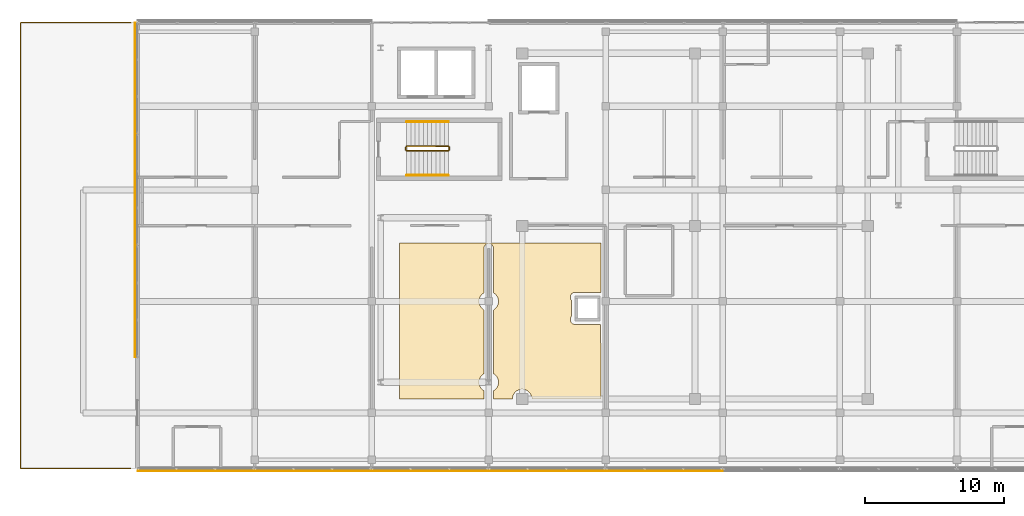
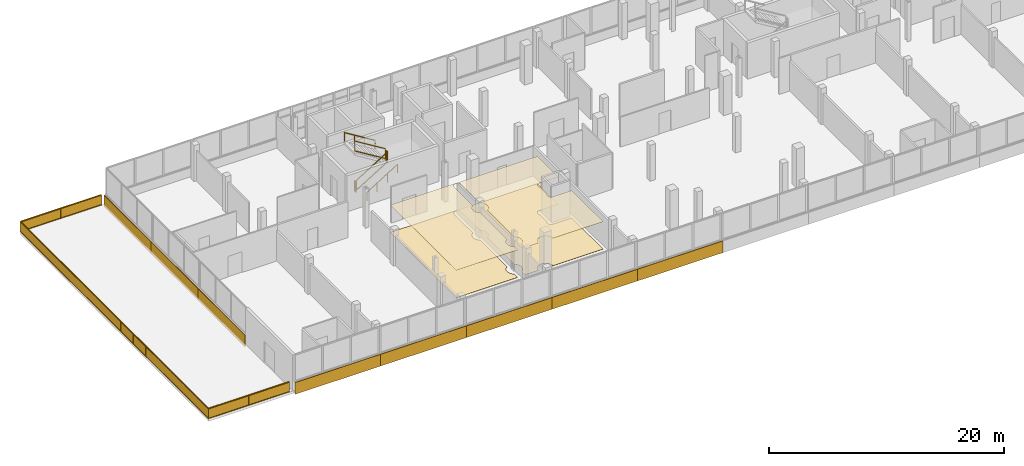
# One storey, part 61 of 67: 10 coverings, 7 railings.
"""IFC4 building model written with IfcOpenShell, lengths in metres."""

from ifc_helpers import new_model, si_unit, direction, frame, origin, origin_2d, place, context, subcontext, project, spatial, polyline, rectangle, circle, outline, extrude, material, layer, layer_set, type_object, element, save


model = new_model("IFC4")

# Units and contexts
model_context = context("Model", 3, precision=1e-05, world=origin(), true_north=direction((0.0, 1.0)))
body_context = subcontext(model_context, "Body", "Model", "MODEL_VIEW")
ifc_project = project(units=[si_unit("LENGTHUNIT", "METRE"), si_unit("AREAUNIT", "SQUARE_METRE"), si_unit("VOLUMEUNIT", "CUBIC_METRE"), si_unit("PLANEANGLEUNIT", "RADIAN"), si_unit("MASSUNIT", "GRAM", prefix="KILO")], contexts=[model_context])

# Site, building, storey
site_placement = place(None, origin())
site = spatial("IfcSite", under=ifc_project, at=site_placement, CompositionType="ELEMENT")
building_placement = place(site_placement, origin())
building = spatial("IfcBuilding", under=site, at=building_placement, Name="Selatvlak General Hospital", CompositionType="ELEMENT")
storey_placement = place(building_placement, frame((0.0, 0.0, 35.39990234375)))
storey = spatial("IfcBuildingStorey", under=building, at=storey_placement, Name="L08", CompositionType="ELEMENT", Elevation=35.39990234375)

# Coverings
ifc_material_1 = material(Name="Acoustic mineral fibre ceiling tile")
ifc_layer_1 = layer(ifc_material_1, 0.02490234375, Name="Acoustic mineral fibre ceiling tile")
ifc_layer_set_1 = layer_set([ifc_layer_1], Name="Acoustic mineral fibre ceiling tile")
covering_type_1 = type_object("IfcCoveringType", Name="COV-CEIL1", PredefinedType="CEILING", material=ifc_layer_set_1)
covering_1_placement = place(storey_placement, frame((0.0, 0.0, 2.840087890625)))
element("IfcCovering", 1, at=covering_1_placement, inside=storey, type_object=covering_type_1, Name="L08 clinical acoustic ceiling 017", PredefinedType="CEILING", context=body_context, shape_type="SweptSolid", body=[
    extrude(outline(polyline([(50.0, 104.199951171875), (64.449951171875, 104.199951171875), (64.449951171875, 100.64599609375), (64.39990234375, 100.64990234375), (62.60009765625, 100.64990234375), (62.56591796875, 100.64794921875), (62.531982421875, 100.64306640625), (62.498046875, 100.635009765625), (62.466064453125, 100.623046875), (62.43505859375, 100.60888671875), (62.406005859375, 100.591064453125), (62.3779296875, 100.571044921875), (62.35302734375, 100.547119140625), (62.3291015625, 100.52197265625), (62.30908203125, 100.493896484375), (62.291015625, 100.465087890625), (62.277099609375, 100.43408203125), (62.264892578125, 100.402099609375), (62.257080078125, 100.367919921875), (62.251953125, 100.333984375), (62.25, 100.300048828125), (62.251953125, 100.26611328125), (62.257080078125, 100.23193359375), (62.264892578125, 100.197998046875), (62.277099609375, 100.166015625), (62.291015625, 100.135009765625), (62.30908203125, 100.10595703125), (62.3291015625, 100.077880859375), (62.35009765625, 100.054931640625), (62.35009765625, 98.945068359375), (62.3291015625, 98.922119140625), (62.30908203125, 98.89404296875), (62.291015625, 98.864990234375), (62.277099609375, 98.833984375), (62.264892578125, 98.802001953125), (62.257080078125, 98.76806640625), (62.251953125, 98.73388671875), (62.25, 98.699951171875), (62.251953125, 98.666015625), (62.257080078125, 98.632080078125), (62.264892578125, 98.597900390625), (62.277099609375, 98.56591796875), (62.291015625, 98.534912109375), (62.30908203125, 98.506103515625), (62.3291015625, 98.47802734375), (62.35302734375, 98.452880859375), (62.3779296875, 98.428955078125), (62.406005859375, 98.408935546875), (62.43505859375, 98.39111328125), (62.466064453125, 98.376953125), (62.498046875, 98.364990234375), (62.531982421875, 98.35693359375), (62.56591796875, 98.35205078125), (62.60009765625, 98.35009765625), (64.39990234375, 98.35009765625), (64.43408203125, 98.35205078125), (64.449951171875, 93.0), (59.5, 93.0), (59.4970703125, 93.069091796875), (59.487060546875, 93.136962890625), (59.469970703125, 93.202880859375), (59.447021484375, 93.26806640625), (59.4169921875, 93.330078125), (59.382080078125, 93.388916015625), (59.341064453125, 93.444091796875), (59.294921875, 93.4951171875), (59.243896484375, 93.541015625), (59.18896484375, 93.58203125), (59.1298828125, 93.616943359375), (59.068115234375, 93.64697265625), (59.0029296875, 93.669921875), (58.93701171875, 93.68701171875), (58.868896484375, 93.697021484375), (58.800048828125, 93.699951171875), (58.73095703125, 93.697021484375), (58.6630859375, 93.68701171875), (58.596923828125, 93.669921875), (58.531982421875, 93.64697265625), (58.469970703125, 93.616943359375), (58.410888671875, 93.58203125), (58.35595703125, 93.541015625), (58.304931640625, 93.4951171875), (58.259033203125, 93.444091796875), (58.218017578125, 93.388916015625), (58.18310546875, 93.330078125), (58.153076171875, 93.26806640625), (58.1298828125, 93.202880859375), (58.113037109375, 93.136962890625), (58.10302734375, 93.069091796875), (58.10009765625, 93.0), (56.75, 93.0), (56.75, 93.594970703125), (56.7890625, 93.617919921875), (56.843994140625, 93.658935546875), (56.89501953125, 93.705078125), (56.94091796875, 93.756103515625), (56.98193359375, 93.81103515625), (57.01708984375, 93.8701171875), (57.047119140625, 93.931884765625), (57.070068359375, 93.9970703125), (57.0869140625, 94.06298828125), (57.096923828125, 94.131103515625), (57.10009765625, 94.199951171875), (57.096923828125, 94.26904296875), (57.0869140625, 94.3369140625), (57.070068359375, 94.403076171875), (57.047119140625, 94.468017578125), (57.01708984375, 94.530029296875), (56.98193359375, 94.589111328125), (56.94091796875, 94.64404296875), (56.89501953125, 94.695068359375), (56.843994140625, 94.740966796875), (56.7890625, 94.781982421875), (56.75, 94.804931640625), (56.75, 99.39501953125), (56.7890625, 99.41796875), (56.843994140625, 99.458984375), (56.89501953125, 99.5048828125), (56.94091796875, 99.555908203125), (56.98193359375, 99.611083984375), (57.01708984375, 99.669921875), (57.047119140625, 99.73193359375), (57.070068359375, 99.797119140625), (57.0869140625, 99.863037109375), (57.096923828125, 99.930908203125), (57.10009765625, 100.0), (57.096923828125, 100.069091796875), (57.0869140625, 100.136962890625), (57.070068359375, 100.202880859375), (57.047119140625, 100.26806640625), (57.01708984375, 100.330078125), (56.98193359375, 100.388916015625), (56.94091796875, 100.444091796875), (56.89501953125, 100.4951171875), (56.843994140625, 100.541015625), (56.7890625, 100.58203125), (56.75, 100.60498046875), (56.75, 103.7900390625), (56.748046875, 103.823974609375), (56.742919921875, 103.85791015625), (56.735107421875, 103.89208984375), (56.722900390625, 103.924072265625), (56.708984375, 103.955078125), (56.69091796875, 103.98388671875), (56.6708984375, 104.011962890625), (56.64697265625, 104.037109375), (56.6220703125, 104.06103515625), (56.593994140625, 104.0810546875), (56.56494140625, 104.09912109375), (56.533935546875, 104.113037109375), (56.501953125, 104.125), (56.468017578125, 104.133056640625), (56.43408203125, 104.137939453125), (56.39990234375, 104.139892578125), (56.365966796875, 104.137939453125), (56.33203125, 104.133056640625), (56.298095703125, 104.125), (56.26611328125, 104.113037109375), (56.235107421875, 104.09912109375), (56.2060546875, 104.0810546875), (56.177978515625, 104.06103515625), (56.153076171875, 104.037109375), (56.12890625, 104.011962890625), (56.10888671875, 103.98388671875), (56.091064453125, 103.955078125), (56.076904296875, 103.924072265625), (56.06494140625, 103.89208984375), (56.056884765625, 103.85791015625), (56.052001953125, 103.823974609375), (56.050048828125, 103.7900390625), (56.050048828125, 100.60498046875), (56.010986328125, 100.58203125), (55.9560546875, 100.541015625), (55.905029296875, 100.4951171875), (55.85888671875, 100.444091796875), (55.818115234375, 100.388916015625), (55.782958984375, 100.330078125), (55.7529296875, 100.26806640625), (55.72998046875, 100.202880859375), (55.712890625, 100.136962890625), (55.702880859375, 100.069091796875), (55.699951171875, 100.0), (55.702880859375, 99.930908203125), (55.712890625, 99.863037109375), (55.72998046875, 99.797119140625), (55.7529296875, 99.73193359375), (55.782958984375, 99.669921875), (55.818115234375, 99.611083984375), (55.85888671875, 99.555908203125), (55.905029296875, 99.5048828125), (55.9560546875, 99.458984375), (56.010986328125, 99.41796875), (56.050048828125, 99.39501953125), (56.050048828125, 94.804931640625), (56.010986328125, 94.781982421875), (55.9560546875, 94.740966796875), (55.905029296875, 94.695068359375), (55.85888671875, 94.64404296875), (55.818115234375, 94.589111328125), (55.782958984375, 94.530029296875), (55.7529296875, 94.468017578125), (55.72998046875, 94.403076171875), (55.712890625, 94.3369140625), (55.702880859375, 94.26904296875), (55.699951171875, 94.199951171875), (55.702880859375, 94.131103515625), (55.712890625, 94.06298828125), (55.72998046875, 93.9970703125), (55.7529296875, 93.931884765625), (55.782958984375, 93.8701171875), (55.818115234375, 93.81103515625), (55.85888671875, 93.756103515625), (55.905029296875, 93.705078125), (55.9560546875, 93.658935546875), (56.010986328125, 93.617919921875), (56.050048828125, 93.594970703125), (56.050048828125, 93.0), (50.0, 93.0), (50.0, 104.199951171875)])), origin(), (0.0, 0.0, 1.0), 0.02490234375),
])
ifc_material_2 = material(Name="Homogeneous anti-static hospital vinyl flooring")
ifc_layer_2 = layer(ifc_material_2, 0.014892578125, Name="Homogeneous anti-static hospital vinyl flooring")
ifc_layer_set_2 = layer_set([ifc_layer_2], Name="Homogeneous anti-static hospital vinyl flooring")
covering_type_2 = type_object("IfcCoveringType", Name="COV-FLR1", PredefinedType="FLOORING", material=ifc_layer_set_2)
covering_2_placement = place(storey_placement, origin())
element("IfcCovering", 2, at=covering_2_placement, inside=storey, type_object=covering_type_2, Name="L08 seamless vinyl flooring 017", PredefinedType="FLOORING", context=body_context, shape_type="SweptSolid", body=[
    extrude(outline(polyline([(50.0, 104.199951171875), (64.449951171875, 104.199951171875), (64.449951171875, 100.64599609375), (64.39990234375, 100.64990234375), (62.60009765625, 100.64990234375), (62.56591796875, 100.64794921875), (62.531982421875, 100.64306640625), (62.498046875, 100.635009765625), (62.466064453125, 100.623046875), (62.43505859375, 100.60888671875), (62.406005859375, 100.591064453125), (62.3779296875, 100.571044921875), (62.35302734375, 100.547119140625), (62.3291015625, 100.52197265625), (62.30908203125, 100.493896484375), (62.291015625, 100.465087890625), (62.277099609375, 100.43408203125), (62.264892578125, 100.402099609375), (62.257080078125, 100.367919921875), (62.251953125, 100.333984375), (62.25, 100.300048828125), (62.251953125, 100.26611328125), (62.257080078125, 100.23193359375), (62.264892578125, 100.197998046875), (62.277099609375, 100.166015625), (62.291015625, 100.135009765625), (62.30908203125, 100.10595703125), (62.3291015625, 100.077880859375), (62.35009765625, 100.054931640625), (62.35009765625, 98.945068359375), (62.3291015625, 98.922119140625), (62.30908203125, 98.89404296875), (62.291015625, 98.864990234375), (62.277099609375, 98.833984375), (62.264892578125, 98.802001953125), (62.257080078125, 98.76806640625), (62.251953125, 98.73388671875), (62.25, 98.699951171875), (62.251953125, 98.666015625), (62.257080078125, 98.632080078125), (62.264892578125, 98.597900390625), (62.277099609375, 98.56591796875), (62.291015625, 98.534912109375), (62.30908203125, 98.506103515625), (62.3291015625, 98.47802734375), (62.35302734375, 98.452880859375), (62.3779296875, 98.428955078125), (62.406005859375, 98.408935546875), (62.43505859375, 98.39111328125), (62.466064453125, 98.376953125), (62.498046875, 98.364990234375), (62.531982421875, 98.35693359375), (62.56591796875, 98.35205078125), (62.60009765625, 98.35009765625), (64.39990234375, 98.35009765625), (64.43408203125, 98.35205078125), (64.449951171875, 93.0), (59.5, 93.0), (59.4970703125, 93.069091796875), (59.487060546875, 93.136962890625), (59.469970703125, 93.202880859375), (59.447021484375, 93.26806640625), (59.4169921875, 93.330078125), (59.382080078125, 93.388916015625), (59.341064453125, 93.444091796875), (59.294921875, 93.4951171875), (59.243896484375, 93.541015625), (59.18896484375, 93.58203125), (59.1298828125, 93.616943359375), (59.068115234375, 93.64697265625), (59.0029296875, 93.669921875), (58.93701171875, 93.68701171875), (58.868896484375, 93.697021484375), (58.800048828125, 93.699951171875), (58.73095703125, 93.697021484375), (58.6630859375, 93.68701171875), (58.596923828125, 93.669921875), (58.531982421875, 93.64697265625), (58.469970703125, 93.616943359375), (58.410888671875, 93.58203125), (58.35595703125, 93.541015625), (58.304931640625, 93.4951171875), (58.259033203125, 93.444091796875), (58.218017578125, 93.388916015625), (58.18310546875, 93.330078125), (58.153076171875, 93.26806640625), (58.1298828125, 93.202880859375), (58.113037109375, 93.136962890625), (58.10302734375, 93.069091796875), (58.10009765625, 93.0), (56.75, 93.0), (56.75, 93.594970703125), (56.7890625, 93.617919921875), (56.843994140625, 93.658935546875), (56.89501953125, 93.705078125), (56.94091796875, 93.756103515625), (56.98193359375, 93.81103515625), (57.01708984375, 93.8701171875), (57.047119140625, 93.931884765625), (57.070068359375, 93.9970703125), (57.0869140625, 94.06298828125), (57.096923828125, 94.131103515625), (57.10009765625, 94.199951171875), (57.096923828125, 94.26904296875), (57.0869140625, 94.3369140625), (57.070068359375, 94.403076171875), (57.047119140625, 94.468017578125), (57.01708984375, 94.530029296875), (56.98193359375, 94.589111328125), (56.94091796875, 94.64404296875), (56.89501953125, 94.695068359375), (56.843994140625, 94.740966796875), (56.7890625, 94.781982421875), (56.75, 94.804931640625), (56.75, 99.39501953125), (56.7890625, 99.41796875), (56.843994140625, 99.458984375), (56.89501953125, 99.5048828125), (56.94091796875, 99.555908203125), (56.98193359375, 99.611083984375), (57.01708984375, 99.669921875), (57.047119140625, 99.73193359375), (57.070068359375, 99.797119140625), (57.0869140625, 99.863037109375), (57.096923828125, 99.930908203125), (57.10009765625, 100.0), (57.096923828125, 100.069091796875), (57.0869140625, 100.136962890625), (57.070068359375, 100.202880859375), (57.047119140625, 100.26806640625), (57.01708984375, 100.330078125), (56.98193359375, 100.388916015625), (56.94091796875, 100.444091796875), (56.89501953125, 100.4951171875), (56.843994140625, 100.541015625), (56.7890625, 100.58203125), (56.75, 100.60498046875), (56.75, 103.7900390625), (56.748046875, 103.823974609375), (56.742919921875, 103.85791015625), (56.735107421875, 103.89208984375), (56.722900390625, 103.924072265625), (56.708984375, 103.955078125), (56.69091796875, 103.98388671875), (56.6708984375, 104.011962890625), (56.64697265625, 104.037109375), (56.6220703125, 104.06103515625), (56.593994140625, 104.0810546875), (56.56494140625, 104.09912109375), (56.533935546875, 104.113037109375), (56.501953125, 104.125), (56.468017578125, 104.133056640625), (56.43408203125, 104.137939453125), (56.39990234375, 104.139892578125), (56.365966796875, 104.137939453125), (56.33203125, 104.133056640625), (56.298095703125, 104.125), (56.26611328125, 104.113037109375), (56.235107421875, 104.09912109375), (56.2060546875, 104.0810546875), (56.177978515625, 104.06103515625), (56.153076171875, 104.037109375), (56.12890625, 104.011962890625), (56.10888671875, 103.98388671875), (56.091064453125, 103.955078125), (56.076904296875, 103.924072265625), (56.06494140625, 103.89208984375), (56.056884765625, 103.85791015625), (56.052001953125, 103.823974609375), (56.050048828125, 103.7900390625), (56.050048828125, 100.60498046875), (56.010986328125, 100.58203125), (55.9560546875, 100.541015625), (55.905029296875, 100.4951171875), (55.85888671875, 100.444091796875), (55.818115234375, 100.388916015625), (55.782958984375, 100.330078125), (55.7529296875, 100.26806640625), (55.72998046875, 100.202880859375), (55.712890625, 100.136962890625), (55.702880859375, 100.069091796875), (55.699951171875, 100.0), (55.702880859375, 99.930908203125), (55.712890625, 99.863037109375), (55.72998046875, 99.797119140625), (55.7529296875, 99.73193359375), (55.782958984375, 99.669921875), (55.818115234375, 99.611083984375), (55.85888671875, 99.555908203125), (55.905029296875, 99.5048828125), (55.9560546875, 99.458984375), (56.010986328125, 99.41796875), (56.050048828125, 99.39501953125), (56.050048828125, 94.804931640625), (56.010986328125, 94.781982421875), (55.9560546875, 94.740966796875), (55.905029296875, 94.695068359375), (55.85888671875, 94.64404296875), (55.818115234375, 94.589111328125), (55.782958984375, 94.530029296875), (55.7529296875, 94.468017578125), (55.72998046875, 94.403076171875), (55.712890625, 94.3369140625), (55.702880859375, 94.26904296875), (55.699951171875, 94.199951171875), (55.702880859375, 94.131103515625), (55.712890625, 94.06298828125), (55.72998046875, 93.9970703125), (55.7529296875, 93.931884765625), (55.782958984375, 93.8701171875), (55.818115234375, 93.81103515625), (55.85888671875, 93.756103515625), (55.905029296875, 93.705078125), (55.9560546875, 93.658935546875), (56.010986328125, 93.617919921875), (56.050048828125, 93.594970703125), (56.050048828125, 93.0), (50.0, 93.0), (50.0, 104.199951171875)])), origin(), (0.0, 0.0, 1.0), 0.01513671875),
])
ifc_material_3 = material(Name="White Bauhaus fair-faced cladding panel")
ifc_layer_3 = layer(ifc_material_3, 0.054931640625, Name="White Bauhaus fair-faced cladding panel")
ifc_layer_set_3 = layer_set([ifc_layer_3], Name="White Bauhaus fair-faced cladding panel")
covering_type_3 = type_object("IfcCoveringType", Name="COV-WHT1", PredefinedType="CLADDING", material=ifc_layer_set_3)
covering_3_placement = place(storey_placement, frame((31.034912109375, 99.9990234375, -0.27978515625), z_axis=(0.0, 0.0, 1.0), x_axis=(0.0, 1.0, 0.0)))
element("IfcCovering", 3, at=covering_3_placement, inside=storey, type_object=covering_type_3, Name="L08 Bauhaus horizontal white spandrel band 0534", PredefinedType="CLADDING", context=body_context, shape_type="SweptSolid", body=[
    extrude(rectangle(XDim=7.9990234375, YDim=0.054931640625, at=origin_2d()), origin(), (0.0, 0.0, 1.0), 1.219970703125),
])
for number, where, z_axis, x_axis, name in (
    (4, (31.034912109375, 107.9990234375, -0.27978515625), (0.0, 0.0, 1.0), (0.0, 1.0, 0.0), "L08 Bauhaus horizontal white spandrel band 0535"),
    (5, (31.034912109375, 115.9990234375, -0.27978515625), (0.0, 0.0, 1.0), (0.0, 1.0, 0.0), "L08 Bauhaus horizontal white spandrel band 0536"),
):
    element("IfcCovering", number, at=place(storey_placement, frame(where, z_axis=z_axis, x_axis=x_axis)), inside=storey, type_object=covering_type_3, Name=name, PredefinedType="CLADDING", context=body_context, shape_type="SweptSolid", body=[
        extrude(rectangle(XDim=8.0, YDim=0.054931640625, at=origin_2d()), origin(), (0.0, 0.0, 1.0), 1.219970703125),
    ])
for number, where, z_axis, x_axis, name in (
    (6, (69.0, 87.8349609375, -0.27978515625), (0.0, 0.0, 1.0), (-1.0, 0.0, 0.0), "L08 Bauhaus horizontal white spandrel band 0565"),
    (7, (60.60009765625, 87.8349609375, -0.27978515625), (0.0, 0.0, 1.0), (-1.0, 0.0, 0.0), "L08 Bauhaus horizontal white spandrel band 0566"),
    (8, (52.199951171875, 87.8349609375, -0.27978515625), (0.0, 0.0, 1.0), (-1.0, 0.0, 0.0), "L08 Bauhaus horizontal white spandrel band 0567"),
    (9, (43.800048828125, 87.8349609375, -0.27978515625), (0.0, 0.0, 1.0), (-1.0, 0.0, 0.0), "L08 Bauhaus horizontal white spandrel band 0568"),
    (10, (35.39990234375, 87.8349609375, -0.27978515625), (0.0, 0.0, 1.0), (-1.0, 0.0, 0.0), "L08 Bauhaus horizontal white spandrel band 0569"),
):
    element("IfcCovering", number, at=place(storey_placement, frame(where, z_axis=z_axis, x_axis=x_axis)), inside=storey, type_object=covering_type_3, Name=name, PredefinedType="CLADDING", context=body_context, shape_type="SweptSolid", body=[
        extrude(rectangle(XDim=8.39990234375, YDim=0.054931640625, at=origin_2d()), origin(), (0.0, 0.0, 1.0), 1.219970703125),
    ])

# Railings
ifc_material_4 = material(Name="Stainless steel 316 safety balustrade", Category="steel")
railing_type_1 = type_object("IfcRailingType", Name="RAIL-BAL1", PredefinedType="BALUSTRADE", material=ifc_material_4)
railing_1_placement = place(storey_placement, frame((30.719970703125, 88.0, 0.0)))
element("IfcRailing", 11, at=railing_1_placement, inside=storey, type_object=railing_type_1, Name="L08 continuous terrace guardrail 0037", PredefinedType="BALUSTRADE", context=body_context, shape_type="SweptSolid", body=[
    extrude(rectangle(XDim=0.068115234375, YDim=0.068115234375, at=origin_2d()), frame((-0.0029296875, 0.0, 1.0859375), z_axis=(-1.0, 0.0, 0.0), x_axis=(0.0, -1.0, 0.0)), (0.0, 0.0, 1.0), 7.9140625),
    extrude(rectangle(XDim=0.068115234375, YDim=0.068115234375, at=origin_2d()), frame((-0.0029296875, 0.0, 0.049072265625), z_axis=(-1.0, 0.0, 0.0), x_axis=(0.0, -1.0, 0.0)), (0.0, 0.0, 1.0), 7.9140625),
    extrude(outline(polyline([(0.0, 0.0), (7.907958984375, 0.0), (7.907958984375, 0.94189453125), (0.0, 0.94189453125), (0.0, 0.0)])), frame((-0.006103515625, -0.01806640625, 0.0849609375), z_axis=(0.0, 1.0, 0.0), x_axis=(-1.0, 0.0, 0.0)), (0.0, 0.0, 1.0), 0.031982421875),
    extrude(rectangle(XDim=0.068115234375, YDim=0.068115234375, at=origin_2d()), frame((-7.919921875, 0.0029296875, 1.0859375), z_axis=(0.0, 1.0, 0.0), x_axis=(-1.0, 0.0, 0.0)), (0.0, 0.0, 1.0), 31.994140625),
    extrude(rectangle(XDim=0.068115234375, YDim=0.068115234375, at=origin_2d()), frame((-7.919921875, 0.0029296875, 0.049072265625), z_axis=(0.0, 1.0, 0.0), x_axis=(-1.0, 0.0, 0.0)), (0.0, 0.0, 1.0), 31.994140625),
    extrude(outline(polyline([(0.0, 0.0), (31.988037109375, 0.0), (31.988037109375, 0.94189453125), (0.0, 0.94189453125), (0.0, 0.0)])), frame((-7.93798828125, 0.006103515625, 0.0849609375), z_axis=(1.0, 0.0, 0.0), x_axis=(0.0, 1.0, 0.0)), (0.0, 0.0, 1.0), 0.031982421875),
    extrude(rectangle(XDim=0.068115234375, YDim=0.068115234375, at=origin_2d()), frame((-7.9169921875, 32.0, 1.0859375), z_axis=(1.0, 0.0, 0.0), x_axis=(0.0, 1.0, 0.0)), (0.0, 0.0, 1.0), 7.93505859375),
    extrude(rectangle(XDim=0.068115234375, YDim=0.068115234375, at=origin_2d()), frame((-7.9169921875, 32.0, 0.049072265625), z_axis=(1.0, 0.0, 0.0), x_axis=(0.0, 1.0, 0.0)), (0.0, 0.0, 1.0), 7.93505859375),
    extrude(outline(polyline([(0.0, 0.0), (7.928955078125, 0.0), (7.928955078125, 0.94189453125), (0.0, 0.94189453125), (0.0, 0.0)])), frame((-7.913818359375, 32.01806640625, 0.0849609375), z_axis=(0.0, -1.0, 0.0), x_axis=(1.0, 0.0, 0.0)), (0.0, 0.0, 1.0), 0.031982421875),
    extrude(rectangle(XDim=0.055908203125, YDim=0.055908203125, at=origin_2d()), origin(), (0.0, 0.0, 1.0), 1.049072265625),
    extrude(rectangle(XDim=0.055908203125, YDim=0.055908203125, at=origin_2d()), frame((-1.97998046875, 0.0, 0.0)), (0.0, 0.0, 1.0), 1.049072265625),
    extrude(rectangle(XDim=0.055908203125, YDim=0.055908203125, at=origin_2d()), frame((-3.9599609375, 0.0, 0.0)), (0.0, 0.0, 1.0), 1.049072265625),
    extrude(rectangle(XDim=0.055908203125, YDim=0.055908203125, at=origin_2d()), frame((-5.93994140625, 0.0, 0.0)), (0.0, 0.0, 1.0), 1.049072265625),
    extrude(rectangle(XDim=0.055908203125, YDim=0.055908203125, at=origin_2d()), frame((-7.919921875, 0.0, 0.0)), (0.0, 0.0, 1.0), 1.049072265625),
    extrude(rectangle(XDim=0.055908203125, YDim=0.055908203125, at=origin_2d()), frame((-7.919921875, 2.13330078125, 0.0)), (0.0, 0.0, 1.0), 1.049072265625),
    extrude(rectangle(XDim=0.055908203125, YDim=0.055908203125, at=origin_2d()), frame((-7.919921875, 4.2666015625, 0.0)), (0.0, 0.0, 1.0), 1.049072265625),
    extrude(rectangle(XDim=0.055908203125, YDim=0.055908203125, at=origin_2d()), frame((-7.919921875, 6.39990234375, 0.0)), (0.0, 0.0, 1.0), 1.049072265625),
    extrude(rectangle(XDim=0.055908203125, YDim=0.055908203125, at=origin_2d()), frame((-7.919921875, 8.533447265625, 0.0)), (0.0, 0.0, 1.0), 1.049072265625),
    extrude(rectangle(XDim=0.055908203125, YDim=0.055908203125, at=origin_2d()), frame((-7.919921875, 10.666748046875, 0.0)), (0.0, 0.0, 1.0), 1.049072265625),
    extrude(rectangle(XDim=0.055908203125, YDim=0.055908203125, at=origin_2d()), frame((-7.919921875, 12.800048828125, 0.0)), (0.0, 0.0, 1.0), 1.049072265625),
    extrude(rectangle(XDim=0.055908203125, YDim=0.055908203125, at=origin_2d()), frame((-7.919921875, 14.933349609375, 0.0)), (0.0, 0.0, 1.0), 1.049072265625),
    extrude(rectangle(XDim=0.055908203125, YDim=0.055908203125, at=origin_2d()), frame((-7.919921875, 17.066650390625, 0.0)), (0.0, 0.0, 1.0), 1.049072265625),
    extrude(rectangle(XDim=0.055908203125, YDim=0.055908203125, at=origin_2d()), frame((-7.919921875, 19.199951171875, 0.0)), (0.0, 0.0, 1.0), 1.049072265625),
    extrude(rectangle(XDim=0.055908203125, YDim=0.055908203125, at=origin_2d()), frame((-7.919921875, 21.333251953125, 0.0)), (0.0, 0.0, 1.0), 1.049072265625),
    extrude(rectangle(XDim=0.055908203125, YDim=0.055908203125, at=origin_2d()), frame((-7.919921875, 23.466552734375, 0.0)), (0.0, 0.0, 1.0), 1.049072265625),
    extrude(rectangle(XDim=0.055908203125, YDim=0.055908203125, at=origin_2d()), frame((-7.919921875, 25.60009765625, 0.0)), (0.0, 0.0, 1.0), 1.049072265625),
    extrude(rectangle(XDim=0.055908203125, YDim=0.055908203125, at=origin_2d()), frame((-7.919921875, 27.7333984375, 0.0)), (0.0, 0.0, 1.0), 1.049072265625),
    extrude(rectangle(XDim=0.055908203125, YDim=0.055908203125, at=origin_2d()), frame((-7.919921875, 29.86669921875, 0.0)), (0.0, 0.0, 1.0), 1.049072265625),
    extrude(rectangle(XDim=0.055908203125, YDim=0.055908203125, at=origin_2d()), frame((-7.919921875, 32.0, 0.0)), (0.0, 0.0, 1.0), 1.049072265625),
    extrude(rectangle(XDim=0.055908203125, YDim=0.055908203125, at=origin_2d()), frame((-5.9345703125, 32.0, 0.0)), (0.0, 0.0, 1.0), 1.049072265625),
    extrude(rectangle(XDim=0.055908203125, YDim=0.055908203125, at=origin_2d()), frame((-3.949462890625, 32.0, 0.0)), (0.0, 0.0, 1.0), 1.049072265625),
    extrude(rectangle(XDim=0.055908203125, YDim=0.055908203125, at=origin_2d()), frame((-1.96435546875, 32.0, 0.0)), (0.0, 0.0, 1.0), 1.049072265625),
    extrude(rectangle(XDim=0.055908203125, YDim=0.055908203125, at=origin_2d()), frame((0.02099609375, 32.0, 0.0)), (0.0, 0.0, 1.0), 1.049072265625),
])
ifc_material_5 = material(Name="Stainless steel 316 stair guard", Category="steel")
railing_type_2 = type_object("IfcRailingType", Name="RAIL-STG", PredefinedType="GUARDRAIL", material=ifc_material_5)
railing_2_placement = place(storey_placement, frame((50.510009765625, 110.81005859375, 0.18408203125)))
element("IfcRailing", 12, at=railing_2_placement, inside=storey, type_object=railing_type_2, Name="L08 ST-01 stair guard 1", PredefinedType="GUARDRAIL", context=body_context, shape_type="SweptSolid", body=[
    extrude(rectangle(XDim=0.068115234375, YDim=0.068115234375, at=origin_2d()), frame((0.00244140625, 0.0, 1.067626953125), z_axis=(0.852303052018, 0.0, 0.52304828412), x_axis=(0.0, 1.0, 0.0)), (0.0, 0.0, 1.0), 3.513916015625),
    extrude(rectangle(XDim=0.068115234375, YDim=0.068115234375, at=origin_2d()), frame((0.00244140625, 0.0, 0.050537109375), z_axis=(0.852303052018, 0.0, 0.52304828412), x_axis=(0.0, 1.0, 0.0)), (0.0, 0.0, 1.0), 3.513916015625),
    extrude(rectangle(XDim=0.055908203125, YDim=0.055908203125, at=origin_2d()), origin(), (0.0, 0.0, 1.0), 1.029052734375),
    extrude(rectangle(XDim=0.055908203125, YDim=0.055908203125, at=origin_2d()), frame((3.0, 0.0, 1.841064453125)), (0.0, 0.0, 1.0), 1.029052734375),
])
railing_3_placement = place(storey_placement, frame((53.56005859375, 110.860107421875, 2.025146484375)))
element("IfcRailing", 13, at=railing_3_placement, inside=storey, type_object=railing_type_2, Name="L08 ST-01 stair guard 2", PredefinedType="GUARDRAIL", context=body_context, shape_type="SweptSolid", body=[
    extrude(rectangle(XDim=0.068115234375, YDim=0.068115234375, at=origin_2d()), frame((0.0, 0.0029296875, 1.06591796875), z_axis=(0.0, 1.0, 0.0), x_axis=(-1.0, 0.0, 0.0)), (0.0, 0.0, 1.0), 0.214111328125),
    extrude(rectangle(XDim=0.068115234375, YDim=0.068115234375, at=origin_2d()), frame((0.0, 0.0029296875, 0.049072265625), z_axis=(0.0, 1.0, 0.0), x_axis=(-1.0, 0.0, 0.0)), (0.0, 0.0, 1.0), 0.214111328125),
    extrude(rectangle(XDim=0.055908203125, YDim=0.055908203125, at=origin_2d()), origin(), (0.0, 0.0, 1.0), 1.029052734375),
    extrude(rectangle(XDim=0.055908203125, YDim=0.055908203125, at=origin_2d()), frame((0.0, 0.219970703125, 0.0)), (0.0, 0.0, 1.0), 1.029052734375),
])
railing_4_placement = place(storey_placement, frame((53.510009765625, 111.1298828125, 2.209228515625)))
element("IfcRailing", 14, at=railing_4_placement, inside=storey, type_object=railing_type_2, Name="L08 ST-01 stair guard 3", PredefinedType="GUARDRAIL", context=body_context, shape_type="SweptSolid", body=[
    extrude(rectangle(XDim=0.068115234375, YDim=0.068115234375, at=origin_2d()), frame((-0.00244140625, 0.0, 1.067626953125), z_axis=(-0.852333972304, 0.0, 0.522997896417), x_axis=(0.0, -1.0, 0.0)), (0.0, 0.0, 1.0), 3.513916015625),
    extrude(rectangle(XDim=0.068115234375, YDim=0.068115234375, at=origin_2d()), frame((-0.00244140625, 0.0, 0.050537109375), z_axis=(-0.852333972304, 0.0, 0.522997896417), x_axis=(0.0, -1.0, 0.0)), (0.0, 0.0, 1.0), 3.513916015625),
    extrude(rectangle(XDim=0.055908203125, YDim=0.055908203125, at=origin_2d()), origin(), (0.0, 0.0, 1.0), 1.029052734375),
    extrude(rectangle(XDim=0.055908203125, YDim=0.055908203125, at=origin_2d()), frame((-3.0, 0.0, 1.8408203125)), (0.0, 0.0, 1.0), 1.029052734375),
])
railing_5_placement = place(storey_placement, frame((50.4599609375, 110.860107421875, 0.0)))
element("IfcRailing", 15, at=railing_5_placement, inside=storey, type_object=railing_type_2, Name="L08 ST-01 stair guard 4", PredefinedType="GUARDRAIL", context=body_context, shape_type="SweptSolid", body=[
    extrude(rectangle(XDim=0.068115234375, YDim=0.068115234375, at=origin_2d()), frame((0.0, 0.0029296875, 1.06591796875), z_axis=(0.0, 1.0, 0.0), x_axis=(-1.0, 0.0, 0.0)), (0.0, 0.0, 1.0), 0.214111328125),
    extrude(rectangle(XDim=0.068115234375, YDim=0.068115234375, at=origin_2d()), frame((0.0, 0.0029296875, 0.049072265625), z_axis=(0.0, 1.0, 0.0), x_axis=(-1.0, 0.0, 0.0)), (0.0, 0.0, 1.0), 0.214111328125),
    extrude(rectangle(XDim=0.055908203125, YDim=0.055908203125, at=origin_2d()), origin(), (0.0, 0.0, 1.0), 1.029052734375),
    extrude(rectangle(XDim=0.055908203125, YDim=0.055908203125, at=origin_2d()), frame((0.0, 0.219970703125, 0.0)), (0.0, 0.0, 1.0), 1.029052734375),
])
ifc_material_6 = material(Name="Stainless steel 316 handrail", Category="steel")
railing_type_3 = type_object("IfcRailingType", Name="RAIL-STH", PredefinedType="HANDRAIL", material=ifc_material_6)
railing_6_placement = place(storey_placement, frame((50.510009765625, 109.050048828125, 0.18408203125)))
element("IfcRailing", 16, at=railing_6_placement, inside=storey, type_object=railing_type_3, Name="L08 ST-01 stair handrail 1", PredefinedType="HANDRAIL", context=body_context, shape_type="SweptSolid", body=[
    extrude(circle(Radius=0.02392578125, at=origin_2d()), frame((0.00244140625, 0.0, 0.87744140625), z_axis=(0.852303052018, 0.0, 0.52304828412), x_axis=(0.0, 1.0, 0.0)), (0.0, 0.0, 1.0), 3.513916015625),
    extrude(circle(Radius=0.02099609375, at=origin_2d()), origin(), (0.0, 0.0, 1.0), 0.848876953125),
    extrude(circle(Radius=0.02099609375, at=origin_2d()), frame((1.0, 0.0, 0.61376953125)), (0.0, 0.0, 1.0), 0.848876953125),
    extrude(circle(Radius=0.02099609375, at=origin_2d()), frame((2.0, 0.0, 1.227294921875)), (0.0, 0.0, 1.0), 0.848876953125),
    extrude(circle(Radius=0.02099609375, at=origin_2d()), frame((3.0, 0.0, 1.841064453125)), (0.0, 0.0, 1.0), 0.848876953125),
])
railing_7_placement = place(storey_placement, frame((53.510009765625, 112.889892578125, 2.209228515625)))
element("IfcRailing", 17, at=railing_7_placement, inside=storey, type_object=railing_type_3, Name="L08 ST-01 stair handrail 2", PredefinedType="HANDRAIL", context=body_context, shape_type="SweptSolid", body=[
    extrude(circle(Radius=0.02392578125, at=origin_2d()), frame((-0.00244140625, 0.0, 0.87744140625), z_axis=(-0.852333972304, 0.0, 0.522997896417), x_axis=(0.0, -1.0, 0.0)), (0.0, 0.0, 1.0), 3.513916015625),
    extrude(circle(Radius=0.02099609375, at=origin_2d()), origin(), (0.0, 0.0, 1.0), 0.848876953125),
    extrude(circle(Radius=0.02099609375, at=origin_2d()), frame((-1.0, 0.0, 0.613525390625)), (0.0, 0.0, 1.0), 0.848876953125),
    extrude(circle(Radius=0.02099609375, at=origin_2d()), frame((-2.0, 0.0, 1.227294921875)), (0.0, 0.0, 1.0), 0.848876953125),
    extrude(circle(Radius=0.02099609375, at=origin_2d()), frame((-3.0, 0.0, 1.8408203125)), (0.0, 0.0, 1.0), 0.848876953125),
])

save(model, "model.ifc")
